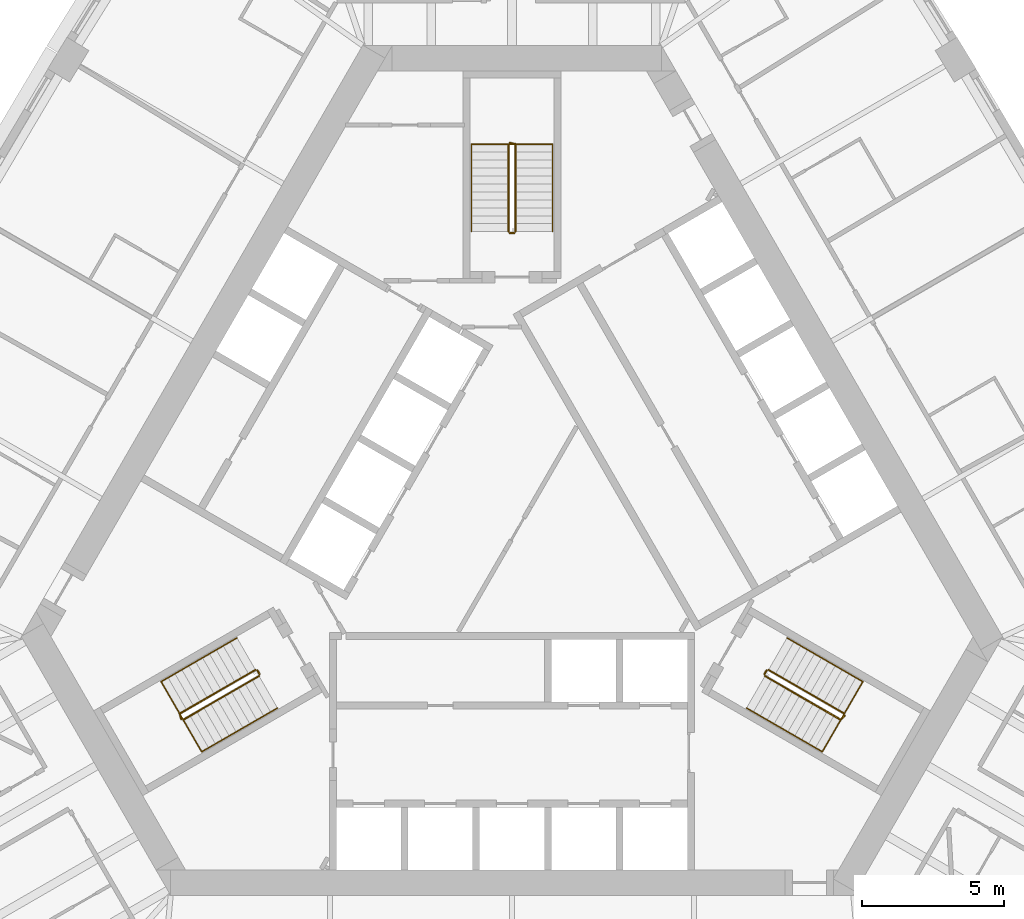
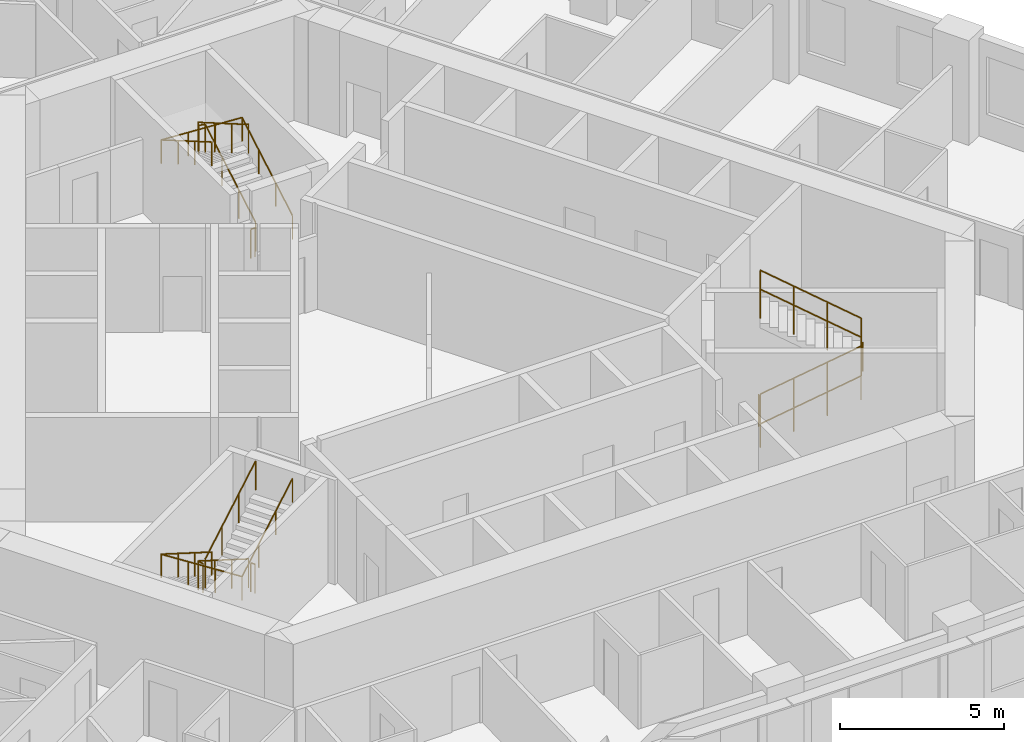
# One storey, part 13 of 13: 12 railings.
"""IFC4 building model written with IfcOpenShell, lengths in metres."""

from ifc_helpers import new_model, si_unit, direction, frame, origin, origin_2d, place, context, subcontext, project, spatial, circle, extrude, material, type_object, element, save


model = new_model("IFC4")

# Units and contexts
model_context = context("Model", 3, precision=1e-05, world=origin(), true_north=direction((0.0, 1.0)))
body_context = subcontext(model_context, "Body", "Model", "MODEL_VIEW")
ifc_project = project(units=[si_unit("LENGTHUNIT", "METRE"), si_unit("AREAUNIT", "SQUARE_METRE"), si_unit("VOLUMEUNIT", "CUBIC_METRE"), si_unit("PLANEANGLEUNIT", "RADIAN"), si_unit("MASSUNIT", "GRAM", prefix="KILO")], contexts=[model_context])

# Site, building, storey
site_placement = place(None, origin())
site = spatial("IfcSite", under=ifc_project, at=site_placement, CompositionType="ELEMENT")
building_placement = place(site_placement, origin())
building = spatial("IfcBuilding", under=site, at=building_placement, Name="Mestral Congress Tower", CompositionType="ELEMENT")
storey_placement = place(building_placement, frame((0.0, 0.0, 87.60009765625)))
storey = spatial("IfcBuildingStorey", under=building, at=storey_placement, Name="L20", CompositionType="ELEMENT", Elevation=87.60009765625)

# Railings
ifc_material_1 = material(Name="Steel balustrade", Category="steel")
railing_type_1 = type_object("IfcRailingType", Name="Stair guard 1100", PredefinedType="GUARDRAIL", material=ifc_material_1)
railing_1_placement = place(storey_placement, frame((8.90087890625, -5.283203125, 0.162353515625)))
element("IfcRailing", 1, at=railing_1_placement, inside=storey, type_object=railing_type_1, Name="L20 ST1 stair guard 1", PredefinedType="GUARDRAIL", context=body_context, shape_type="SweptSolid", body=[
    extrude(circle(Radius=0.02392578125, at=origin_2d()), frame((0.0, 0.0, 1.076171875), z_axis=(0.748993966903, -0.432462603499, 0.501980212875), x_axis=(0.500026652407, 0.866010015463, 0.0)), (0.0, 0.0, 1.0), 3.56103515625),
    extrude(circle(Radius=0.02392578125, at=origin_2d()), frame((2.667236328125, -1.5400390625, 2.86376953125), z_axis=(0.695164929852, 0.718850276695, 0.0), x_axis=(-0.718850276695, 0.695164929852, 0.0)), (0.0, 0.0, 1.0), 0.2060546875),
    extrude(circle(Radius=0.02099609375, at=origin_2d()), origin(), (0.0, 0.0, 1.0), 1.052001953125),
    extrude(circle(Radius=0.02099609375, at=origin_2d()), frame((0.88916015625, -0.513427734375, 0.595947265625)), (0.0, 0.0, 1.0), 1.052001953125),
    extrude(circle(Radius=0.02099609375, at=origin_2d()), frame((1.778076171875, -1.026611328125, 1.191650390625)), (0.0, 0.0, 1.0), 1.052001953125),
    extrude(circle(Radius=0.02099609375, at=origin_2d()), frame((2.667236328125, -1.5400390625, 1.78759765625)), (0.0, 0.0, 1.0), 1.052001953125),
    extrude(circle(Radius=0.02099609375, at=origin_2d()), frame((2.810546875, -1.391845703125, 1.78759765625)), (0.0, 0.0, 1.0), 1.052001953125),
])
railing_2_placement = place(storey_placement, frame((11.693115234375, -6.606689453125, 2.1123046875)))
element("IfcRailing", 2, at=railing_2_placement, inside=storey, type_object=railing_type_1, Name="L20 ST1 stair guard 2", PredefinedType="GUARDRAIL", context=body_context, shape_type="SweptSolid", body=[
    extrude(circle(Radius=0.02392578125, at=origin_2d()), frame((0.0, 0.0, 1.076171875), z_axis=(-0.748993966903, 0.432462603499, 0.501980212875), x_axis=(-0.500026652407, -0.866010015463, 0.0)), (0.0, 0.0, 1.0), 3.56103515625),
    extrude(circle(Radius=0.02099609375, at=origin_2d()), origin(), (0.0, 0.0, 1.0), 1.052001953125),
    extrude(circle(Radius=0.02099609375, at=origin_2d()), frame((-0.88916015625, 0.513427734375, 0.595947265625)), (0.0, 0.0, 1.0), 1.052001953125),
    extrude(circle(Radius=0.02099609375, at=origin_2d()), frame((-1.778076171875, 1.026611328125, 1.191650390625)), (0.0, 0.0, 1.0), 1.052001953125),
    extrude(circle(Radius=0.02099609375, at=origin_2d()), frame((-2.667236328125, 1.5400390625, 1.78759765625)), (0.0, 0.0, 1.0), 1.052001953125),
])
railing_3_placement = place(storey_placement, frame((8.882568359375, -5.21484375, 0.0)))
element("IfcRailing", 3, at=railing_3_placement, inside=storey, type_object=railing_type_1, Name="L20 ST1 stair guard 3", PredefinedType="GUARDRAIL", context=body_context, shape_type="SweptSolid", body=[
    extrude(circle(Radius=0.02392578125, at=origin_2d()), frame((0.0, 0.0, 1.076171875), z_axis=(0.499816412211, 0.866131372301, 0.0), x_axis=(-0.866131372301, 0.499816412211, 0.0)), (0.0, 0.0, 1.0), 0.14990234375),
    extrude(circle(Radius=0.02099609375, at=origin_2d()), origin(), (0.0, 0.0, 1.0), 1.052001953125),
    extrude(circle(Radius=0.02099609375, at=origin_2d()), frame((0.074951171875, 0.1298828125, 0.0)), (0.0, 0.0, 1.0), 1.052001953125),
])
railing_4_placement = place(storey_placement, frame((0.125, 10.35009765625, 0.162353515625)))
element("IfcRailing", 4, at=railing_4_placement, inside=storey, type_object=railing_type_1, Name="L20 ST2 stair guard 1", PredefinedType="GUARDRAIL", context=body_context, shape_type="SweptSolid", body=[
    extrude(circle(Radius=0.02392578125, at=origin_2d()), frame((0.0, 0.0, 1.076171875), z_axis=(0.0, 0.864873446163, 0.501989962173), x_axis=(-1.0, 0.0, 0.0)), (0.0, 0.0, 1.0), 3.56103515625),
    extrude(circle(Radius=0.02392578125, at=origin_2d()), frame((0.0, 3.079833984375, 2.86376953125), z_axis=(-0.970072785993, 0.242814311512, 0.0), x_axis=(-0.242814311512, -0.970072785993, 0.0)), (0.0, 0.0, 1.0), 0.2060546875),
    extrude(circle(Radius=0.02099609375, at=origin_2d()), origin(), (0.0, 0.0, 1.0), 1.052001953125),
    extrude(circle(Radius=0.02099609375, at=origin_2d()), frame((0.0, 1.026611328125, 0.595947265625)), (0.0, 0.0, 1.0), 1.052001953125),
    extrude(circle(Radius=0.02099609375, at=origin_2d()), frame((0.0, 2.05322265625, 1.191650390625)), (0.0, 0.0, 1.0), 1.052001953125),
    extrude(circle(Radius=0.02099609375, at=origin_2d()), frame((0.0, 3.079833984375, 1.78759765625)), (0.0, 0.0, 1.0), 1.052001953125),
    extrude(circle(Radius=0.02099609375, at=origin_2d()), frame((-0.199951171875, 3.1298828125, 1.78759765625)), (0.0, 0.0, 1.0), 1.052001953125),
])
railing_5_placement = place(storey_placement, frame((-0.125, 13.429931640625, 2.1123046875)))
element("IfcRailing", 5, at=railing_5_placement, inside=storey, type_object=railing_type_1, Name="L20 ST2 stair guard 2", PredefinedType="GUARDRAIL", context=body_context, shape_type="SweptSolid", body=[
    extrude(circle(Radius=0.02392578125, at=origin_2d()), frame((0.0, 0.0, 1.076171875), z_axis=(0.0, -0.864873446163, 0.501989962173), x_axis=(1.0, 0.0, 0.0)), (0.0, 0.0, 1.0), 3.56103515625),
    extrude(circle(Radius=0.02099609375, at=origin_2d()), origin(), (0.0, 0.0, 1.0), 1.052001953125),
    extrude(circle(Radius=0.02099609375, at=origin_2d()), frame((0.0, -1.026611328125, 0.595947265625)), (0.0, 0.0, 1.0), 1.052001953125),
    extrude(circle(Radius=0.02099609375, at=origin_2d()), frame((0.0, -2.05322265625, 1.191650390625)), (0.0, 0.0, 1.0), 1.052001953125),
    extrude(circle(Radius=0.02099609375, at=origin_2d()), frame((0.0, -3.079833984375, 1.78759765625)), (0.0, 0.0, 1.0), 1.052001953125),
])
railing_6_placement = place(storey_placement, frame((0.074951171875, 10.300048828125, 0.0)))
element("IfcRailing", 6, at=railing_6_placement, inside=storey, type_object=railing_type_1, Name="L20 ST2 stair guard 3", PredefinedType="GUARDRAIL", context=body_context, shape_type="SweptSolid", body=[
    extrude(circle(Radius=0.02392578125, at=origin_2d()), frame((0.0, 0.0, 1.076171875), z_axis=(-1.0, 0.0, 0.0), x_axis=(0.0, -1.0, 0.0)), (0.0, 0.0, 1.0), 0.14990234375),
    extrude(circle(Radius=0.02099609375, at=origin_2d()), origin(), (0.0, 0.0, 1.0), 1.052001953125),
    extrude(circle(Radius=0.02099609375, at=origin_2d()), frame((-0.14990234375, 0.0, 0.0)), (0.0, 0.0, 1.0), 1.052001953125),
])
railing_7_placement = place(storey_placement, frame((-9.02587890625, -5.066650390625, 0.162353515625)))
element("IfcRailing", 7, at=railing_7_placement, inside=storey, type_object=railing_type_1, Name="L20 ST3 stair guard 1", PredefinedType="GUARDRAIL", context=body_context, shape_type="SweptSolid", body=[
    extrude(circle(Radius=0.02392578125, at=origin_2d()), frame((0.0, 0.0, 1.076171875), z_axis=(-0.748993966903, -0.432462603499, 0.501980212875), x_axis=(0.500026652407, -0.866010015463, 0.0)), (0.0, 0.0, 1.0), 3.56103515625),
    extrude(circle(Radius=0.02392578125, at=origin_2d()), frame((-2.667236328125, -1.5400390625, 2.86376953125), z_axis=(0.274721127897, -0.961523947641, 0.0), x_axis=(0.961523947641, 0.274721127897, 0.0)), (0.0, 0.0, 1.0), 0.2060546875),
    extrude(circle(Radius=0.02099609375, at=origin_2d()), origin(), (0.0, 0.0, 1.0), 1.052001953125),
    extrude(circle(Radius=0.02099609375, at=origin_2d()), frame((-0.88916015625, -0.513427734375, 0.595947265625)), (0.0, 0.0, 1.0), 1.052001953125),
    extrude(circle(Radius=0.02099609375, at=origin_2d()), frame((-1.778076171875, -1.026611328125, 1.191650390625)), (0.0, 0.0, 1.0), 1.052001953125),
    extrude(circle(Radius=0.02099609375, at=origin_2d()), frame((-2.667236328125, -1.5400390625, 1.78759765625)), (0.0, 0.0, 1.0), 1.052001953125),
    extrude(circle(Radius=0.02099609375, at=origin_2d()), frame((-2.610595703125, -1.73828125, 1.78759765625)), (0.0, 0.0, 1.0), 1.052001953125),
])
railing_8_placement = place(storey_placement, frame((-11.568115234375, -6.8232421875, 2.1123046875)))
element("IfcRailing", 8, at=railing_8_placement, inside=storey, type_object=railing_type_1, Name="L20 ST3 stair guard 2", PredefinedType="GUARDRAIL", context=body_context, shape_type="SweptSolid", body=[
    extrude(circle(Radius=0.02392578125, at=origin_2d()), frame((0.0, 0.0, 1.076171875), z_axis=(0.748993966903, 0.432462603499, 0.501980212875), x_axis=(-0.500026652407, 0.866010015463, 0.0)), (0.0, 0.0, 1.0), 3.56103515625),
    extrude(circle(Radius=0.02099609375, at=origin_2d()), origin(), (0.0, 0.0, 1.0), 1.052001953125),
    extrude(circle(Radius=0.02099609375, at=origin_2d()), frame((0.88916015625, 0.513427734375, 0.595947265625)), (0.0, 0.0, 1.0), 1.052001953125),
    extrude(circle(Radius=0.02099609375, at=origin_2d()), frame((1.778076171875, 1.026611328125, 1.191650390625)), (0.0, 0.0, 1.0), 1.052001953125),
    extrude(circle(Radius=0.02099609375, at=origin_2d()), frame((2.667236328125, 1.5400390625, 1.78759765625)), (0.0, 0.0, 1.0), 1.052001953125),
])
railing_9_placement = place(storey_placement, frame((-8.95751953125, -5.0849609375, 0.0)))
element("IfcRailing", 9, at=railing_9_placement, inside=storey, type_object=railing_type_1, Name="L20 ST3 stair guard 3", PredefinedType="GUARDRAIL", context=body_context, shape_type="SweptSolid", body=[
    extrude(circle(Radius=0.02392578125, at=origin_2d()), frame((0.0, 0.0, 1.076171875), z_axis=(0.499816412211, -0.866131372301, 0.0), x_axis=(0.866131372301, 0.499816412211, 0.0)), (0.0, 0.0, 1.0), 0.14990234375),
    extrude(circle(Radius=0.02099609375, at=origin_2d()), origin(), (0.0, 0.0, 1.0), 1.052001953125),
    extrude(circle(Radius=0.02099609375, at=origin_2d()), frame((0.074951171875, -0.1298828125, 0.0)), (0.0, 0.0, 1.0), 1.052001953125),
])
ifc_material_2 = material(Name="Steel handrail", Category="steel")
railing_type_2 = type_object("IfcRailingType", Name="Stair handrail 900", PredefinedType="HANDRAIL", material=ifc_material_2)
railing_10_placement = place(storey_placement, frame((8.2509765625, -6.4091796875, 0.162353515625)))
element("IfcRailing", 10, at=railing_10_placement, inside=storey, type_object=railing_type_2, Name="L20 ST1 stair handrail 1", PredefinedType="HANDRAIL", context=body_context, shape_type="SweptSolid", body=[
    extrude(circle(Radius=0.02392578125, at=origin_2d()), frame((0.0, 0.0, 0.8759765625), z_axis=(0.749016172816, -0.432406865167, 0.50199509541), x_axis=(0.499967199496, 0.866044340336, 0.0)), (0.0, 0.0, 1.0), 3.56103515625),
    extrude(circle(Radius=0.02392578125, at=origin_2d()), frame((2.667236328125, -1.539794921875, 2.66357421875), z_axis=(0.499226936105, 0.864602552182, 0.056876120012), x_axis=(-0.866004402611, 0.500036373335, 0.0)), (0.0, 0.0, 1.0), 2.8544921875),
    extrude(circle(Radius=0.02392578125, at=origin_2d()), frame((4.09228515625, 0.92822265625, 2.82568359375), z_axis=(-0.74902406201, 0.432440397507, 0.501954437309), x_axis=(-0.499992328818, -0.866029832698, 0.0)), (0.0, 0.0, 1.0), 3.561279296875),
    extrude(circle(Radius=0.02099609375, at=origin_2d()), origin(), (0.0, 0.0, 1.0), 0.851806640625),
    extrude(circle(Radius=0.02099609375, at=origin_2d()), frame((0.88916015625, -0.51318359375, 0.595947265625)), (0.0, 0.0, 1.0), 0.851806640625),
    extrude(circle(Radius=0.02099609375, at=origin_2d()), frame((1.778076171875, -1.026611328125, 1.191650390625)), (0.0, 0.0, 1.0), 0.851806640625),
    extrude(circle(Radius=0.02099609375, at=origin_2d()), frame((2.667236328125, -1.539794921875, 1.78759765625)), (0.0, 0.0, 1.0), 0.851806640625),
    extrude(circle(Radius=0.02099609375, at=origin_2d()), frame((3.142333984375, -0.717041015625, 1.841796875)), (0.0, 0.0, 1.0), 0.851806640625),
    extrude(circle(Radius=0.02099609375, at=origin_2d()), frame((3.6171875, 0.10546875, 1.895751953125)), (0.0, 0.0, 1.0), 0.851806640625),
    extrude(circle(Radius=0.02099609375, at=origin_2d()), frame((4.09228515625, 0.92822265625, 1.949951171875)), (0.0, 0.0, 1.0), 0.851806640625),
    extrude(circle(Radius=0.02099609375, at=origin_2d()), frame((3.203125, 1.441650390625, 2.5458984375)), (0.0, 0.0, 1.0), 0.851806640625),
    extrude(circle(Radius=0.02099609375, at=origin_2d()), frame((2.31396484375, 1.954833984375, 3.1416015625)), (0.0, 0.0, 1.0), 0.851806640625),
    extrude(circle(Radius=0.02099609375, at=origin_2d()), frame((1.4248046875, 2.46826171875, 3.737548828125)), (0.0, 0.0, 1.0), 0.851806640625),
])
railing_11_placement = place(storey_placement, frame((1.425048828125, 10.35009765625, 0.162353515625)))
element("IfcRailing", 11, at=railing_11_placement, inside=storey, type_object=railing_type_2, Name="L20 ST2 stair handrail 1", PredefinedType="HANDRAIL", context=body_context, shape_type="SweptSolid", body=[
    extrude(circle(Radius=0.02392578125, at=origin_2d()), frame((0.0, 0.0, 0.8759765625), z_axis=(0.0, 0.864873446163, 0.501989962173), x_axis=(-1.0, 0.0, 0.0)), (0.0, 0.0, 1.0), 3.56103515625),
    extrude(circle(Radius=0.02392578125, at=origin_2d()), frame((0.0, 3.079833984375, 2.66357421875), z_axis=(-0.998381478221, 0.0, 0.056871996147), x_axis=(0.0, -1.0, 0.0)), (0.0, 0.0, 1.0), 2.854736328125),
    extrude(circle(Radius=0.02392578125, at=origin_2d()), frame((-2.85009765625, 3.079833984375, 2.82568359375), z_axis=(0.0, -0.864873446163, 0.501989962173), x_axis=(1.0, 0.0, 0.0)), (0.0, 0.0, 1.0), 3.56103515625),
    extrude(circle(Radius=0.02099609375, at=origin_2d()), origin(), (0.0, 0.0, 1.0), 0.851806640625),
    extrude(circle(Radius=0.02099609375, at=origin_2d()), frame((0.0, 1.026611328125, 0.595947265625)), (0.0, 0.0, 1.0), 0.851806640625),
    extrude(circle(Radius=0.02099609375, at=origin_2d()), frame((0.0, 2.05322265625, 1.191650390625)), (0.0, 0.0, 1.0), 0.851806640625),
    extrude(circle(Radius=0.02099609375, at=origin_2d()), frame((0.0, 3.079833984375, 1.78759765625)), (0.0, 0.0, 1.0), 0.851806640625),
    extrude(circle(Radius=0.02099609375, at=origin_2d()), frame((-0.949951171875, 3.079833984375, 1.841796875)), (0.0, 0.0, 1.0), 0.851806640625),
    extrude(circle(Radius=0.02099609375, at=origin_2d()), frame((-1.900146484375, 3.079833984375, 1.895751953125)), (0.0, 0.0, 1.0), 0.851806640625),
    extrude(circle(Radius=0.02099609375, at=origin_2d()), frame((-2.85009765625, 3.079833984375, 1.949951171875)), (0.0, 0.0, 1.0), 0.851806640625),
    extrude(circle(Radius=0.02099609375, at=origin_2d()), frame((-2.85009765625, 2.05322265625, 2.5458984375)), (0.0, 0.0, 1.0), 0.851806640625),
    extrude(circle(Radius=0.02099609375, at=origin_2d()), frame((-2.85009765625, 1.026611328125, 3.1416015625)), (0.0, 0.0, 1.0), 0.851806640625),
    extrude(circle(Radius=0.02099609375, at=origin_2d()), frame((-2.85009765625, 0.0, 3.737548828125)), (0.0, 0.0, 1.0), 0.851806640625),
])
railing_12_placement = place(storey_placement, frame((-9.67578125, -3.94091796875, 0.162353515625)))
element("IfcRailing", 12, at=railing_12_placement, inside=storey, type_object=railing_type_2, Name="L20 ST3 stair handrail 1", PredefinedType="HANDRAIL", context=body_context, shape_type="SweptSolid", body=[
    extrude(circle(Radius=0.02392578125, at=origin_2d()), frame((0.0, 0.0, 0.8759765625), z_axis=(-0.74902406201, -0.432440397507, 0.501954437309), x_axis=(0.499992328818, -0.866029832698, 0.0)), (0.0, 0.0, 1.0), 3.561279296875),
    extrude(circle(Radius=0.02392578125, at=origin_2d()), frame((-2.66748046875, -1.5400390625, 2.66357421875), z_axis=(0.499226936105, -0.864602552182, 0.056876120012), x_axis=(0.866004402611, 0.500036373335, 0.0)), (0.0, 0.0, 1.0), 2.8544921875),
    extrude(circle(Radius=0.02392578125, at=origin_2d()), frame((-1.242431640625, -4.008056640625, 2.82568359375), z_axis=(0.749016172816, 0.432406865167, 0.50199509541), x_axis=(-0.499967199496, 0.866044340336, 0.0)), (0.0, 0.0, 1.0), 3.56103515625),
    extrude(circle(Radius=0.02099609375, at=origin_2d()), origin(), (0.0, 0.0, 1.0), 0.851806640625),
    extrude(circle(Radius=0.02099609375, at=origin_2d()), frame((-0.88916015625, -0.513427734375, 0.595947265625)), (0.0, 0.0, 1.0), 0.851806640625),
    extrude(circle(Radius=0.02099609375, at=origin_2d()), frame((-1.7783203125, -1.026611328125, 1.191650390625)), (0.0, 0.0, 1.0), 0.851806640625),
    extrude(circle(Radius=0.02099609375, at=origin_2d()), frame((-2.66748046875, -1.5400390625, 1.78759765625)), (0.0, 0.0, 1.0), 0.851806640625),
    extrude(circle(Radius=0.02099609375, at=origin_2d()), frame((-2.1923828125, -2.36279296875, 1.841796875)), (0.0, 0.0, 1.0), 0.851806640625),
    extrude(circle(Radius=0.02099609375, at=origin_2d()), frame((-1.717529296875, -3.185302734375, 1.895751953125)), (0.0, 0.0, 1.0), 0.851806640625),
    extrude(circle(Radius=0.02099609375, at=origin_2d()), frame((-1.242431640625, -4.008056640625, 1.949951171875)), (0.0, 0.0, 1.0), 0.851806640625),
    extrude(circle(Radius=0.02099609375, at=origin_2d()), frame((-0.353271484375, -3.494873046875, 2.5458984375)), (0.0, 0.0, 1.0), 0.851806640625),
    extrude(circle(Radius=0.02099609375, at=origin_2d()), frame((0.53564453125, -2.9814453125, 3.1416015625)), (0.0, 0.0, 1.0), 0.851806640625),
    extrude(circle(Radius=0.02099609375, at=origin_2d()), frame((1.4248046875, -2.46826171875, 3.737548828125)), (0.0, 0.0, 1.0), 0.851806640625),
])

save(model, "model.ifc")
